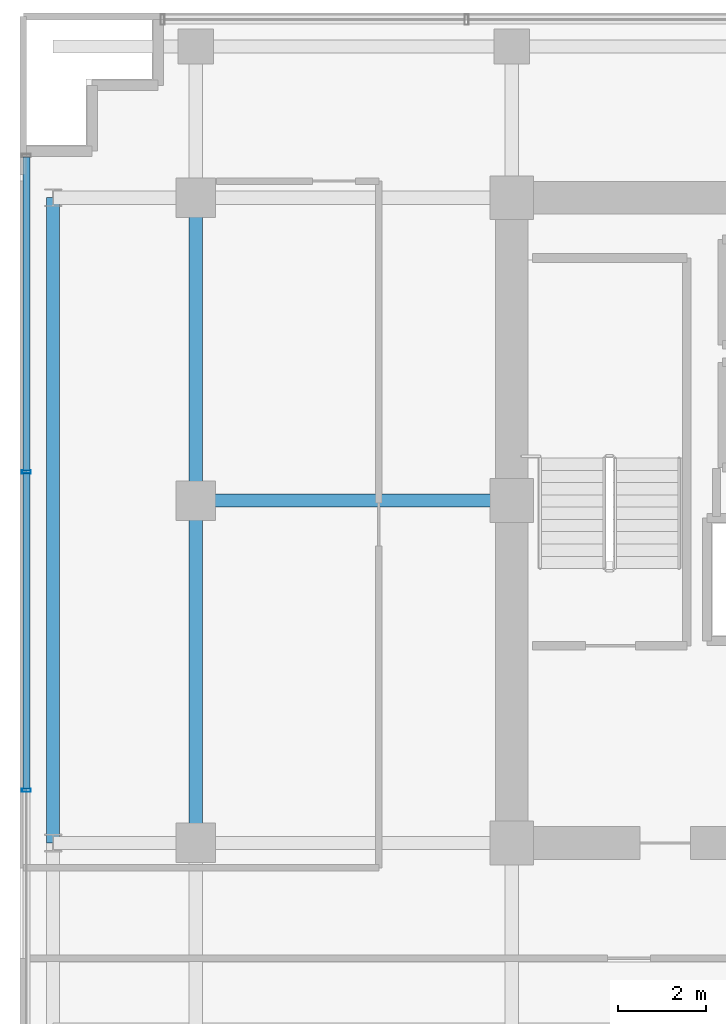
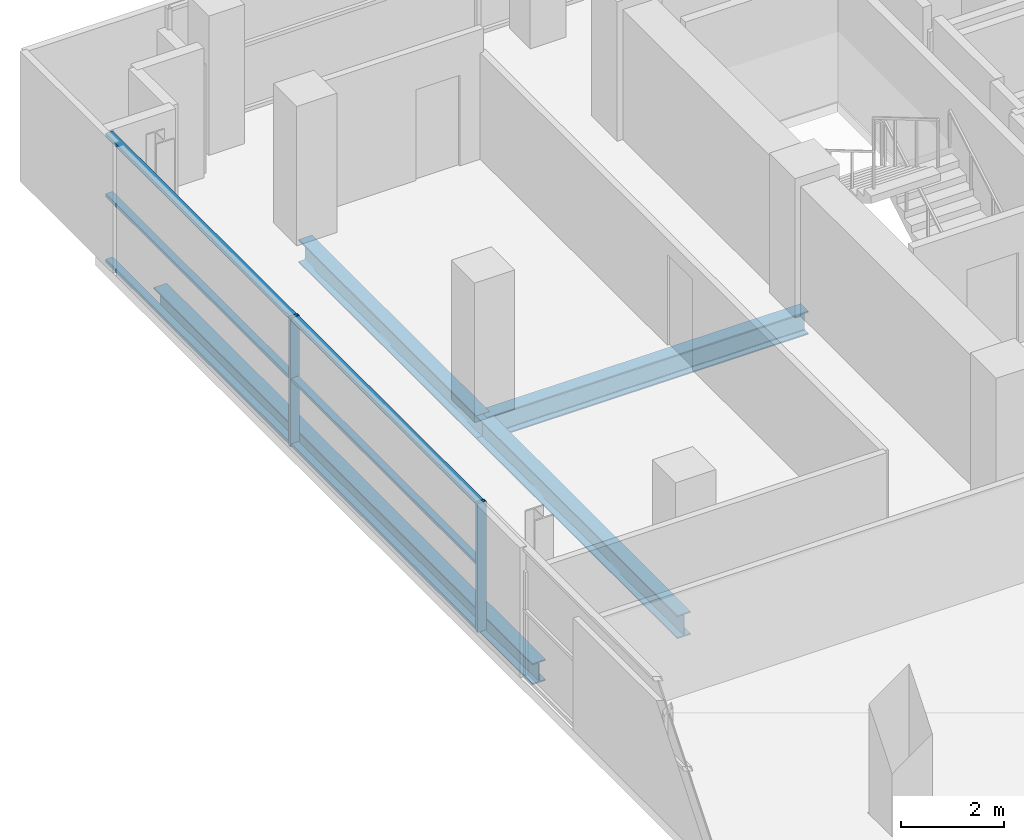
# One storey, part 9 of 24: 8 members, 4 beams, 1 element without a shape of its own.
"""IFC4 building model written with IfcOpenShell, lengths in metres."""

import ifcopenshell
import ifcopenshell.guid

model = None  # the IFC model being written
_history = None  # IfcOwnerHistory: only IFC2X3 demands one
_inside = {}  # id of a spatial element -> (the spatial element, [elements in it])
_under = {}  # id of a project, library or spatial element -> (it, [spatial elements below it])
_declared = {}  # id of a project -> (the project, [libraries it declares])
_typed = {}  # id of a type object -> (the type object, [elements of that type])
_made_of = {}  # id of a material, layer set ... -> (it, [elements and type objects made of it])


def new_model(schema):
    """Start an empty IFC model of exactly this schema.

    Asked for "IFC4X3", IfcOpenShell would pick the latest addendum, in which some entities
    have other attributes; the version numbers below select the first issue.
    IFC2X3 requires an IfcOwnerHistory on every rooted entity: one is made here for all.
    """
    global model, _history
    if schema == "IFC4X3":
        model = ifcopenshell.file(schema_version=(4, 3, 0, 0))
    else:
        model = ifcopenshell.file(schema=schema)
    _inside.clear()
    _under.clear()
    _declared.clear()
    _typed.clear()
    _made_of.clear()
    _history = None
    if model.schema == "IFC2X3":
        org = make("IfcOrganization", Name="unknown")
        user = make(
            "IfcPersonAndOrganization",
            ThePerson=make("IfcPerson", FamilyName="unknown"),
            TheOrganization=org,
        )
        app = make(
            "IfcApplication",
            ApplicationDeveloper=org,
            Version="unknown",
            ApplicationFullName="unknown",
            ApplicationIdentifier="unknown",
        )
        _history = make(
            "IfcOwnerHistory",
            OwningUser=user,
            OwningApplication=app,
            ChangeAction="ADDED",
            CreationDate=0,
        )
    return model


def make(cls, **values):
    """One entity of the class cls with the attributes given. An attribute that is None is left unset."""
    return model.create_entity(
        cls, **{name: value for name, value in values.items() if value is not None}
    )


def rooted(cls, **values):
    """An entity with a GlobalId (a new one), such as an element, a storey or a relation."""
    return make(cls, GlobalId=ifcopenshell.guid.new(), OwnerHistory=_history, **values)


def si_unit(unit_type, name, prefix=None):
    """IfcSIUnit, for example si_unit("LENGTHUNIT", "METRE", prefix="MILLI")."""
    return make("IfcSIUnit", UnitType=unit_type, Prefix=prefix, Name=name)


def assignment(units):
    """IfcUnitAssignment: the units of a project."""
    return None if units is None else make("IfcUnitAssignment", Units=units)


def point(xyz):
    """IfcCartesianPoint."""
    return None if xyz is None else make("IfcCartesianPoint", Coordinates=xyz)


def direction(xyz):
    """IfcDirection."""
    return None if xyz is None else make("IfcDirection", DirectionRatios=xyz)


def frame(location, z_axis=None, x_axis=None):
    """IfcAxis2Placement3D, a coordinate frame: its origin and axes. An axis left out is left unset."""
    return make(
        "IfcAxis2Placement3D",
        Location=point(location),
        Axis=direction(z_axis),
        RefDirection=direction(x_axis),
    )


def frame_2d(location, x_axis=None):
    """IfcAxis2Placement2D, a coordinate frame in the plane: its origin and x axis."""
    return make(
        "IfcAxis2Placement2D", Location=point(location), RefDirection=direction(x_axis)
    )


def origin():
    """The frame at (0, 0, 0) with its axes left unset."""
    return frame((0.0, 0.0, 0.0))


def origin_2d():
    """The frame at (0, 0) in the plane with its x axis left unset."""
    return frame_2d((0.0, 0.0))


def place(relative_to, where):
    """IfcLocalPlacement: puts the frame where relative to a parent placement (None: the world)."""
    return make(
        "IfcLocalPlacement", PlacementRelTo=relative_to, RelativePlacement=where
    )


def context(
    kind, dimensions, precision=None, world=None, true_north=None, identifier=None
):
    """IfcGeometricRepresentationContext, for example the 3D "Model" context."""
    return make(
        "IfcGeometricRepresentationContext",
        ContextIdentifier=identifier,
        ContextType=kind,
        CoordinateSpaceDimension=dimensions,
        Precision=precision,
        WorldCoordinateSystem=world,
        TrueNorth=true_north,
    )


def subcontext(parent, identifier, kind, view, scale=None):
    """IfcGeometricRepresentationSubContext, for example "Body" below "Model"."""
    return make(
        "IfcGeometricRepresentationSubContext",
        ContextIdentifier=identifier,
        ContextType=kind,
        ParentContext=parent,
        TargetScale=scale,
        TargetView=view,
    )


def project(units=None, contexts=None):
    """IfcProject with its units and contexts."""
    return rooted(
        "IfcProject",
        Name="project",
        RepresentationContexts=contexts,
        UnitsInContext=assignment(units),
    )


def spatial(cls, under=None, at=None, **own):
    """A site, building, storey or space (cls), placed at a placement, below another one or the project."""
    s = rooted(cls, ObjectPlacement=at, **own)
    if under is not None:
        _under.setdefault(under.id(), (under, []))[1].append(s)
    return s


def profile(cls, at=None, kind="AREA", **sizes):
    """A parametric profile (cls). Its sizes go by their IFC names, for example OverallWidth=200.0."""
    return make(cls, ProfileType=kind, Position=at, **sizes)


def hollow_rectangle(**sizes):
    """IfcRectangleHollowProfileDef."""
    return profile("IfcRectangleHollowProfileDef", **sizes)


def i_section(**sizes):
    """IfcIShapeProfileDef."""
    return profile("IfcIShapeProfileDef", **sizes)


def extrude(swept, where, along, depth):
    """IfcExtrudedAreaSolid: the profile swept, set in the frame where, extruded along a direction by depth."""
    return make(
        "IfcExtrudedAreaSolid",
        SweptArea=swept,
        Position=where,
        ExtrudedDirection=direction(along),
        Depth=depth,
    )


def shape(context_of_items, identifier, shape_type, items):
    """IfcShapeRepresentation: the items that make up one representation, for example the "Body"."""
    return make(
        "IfcShapeRepresentation",
        ContextOfItems=context_of_items,
        RepresentationIdentifier=identifier,
        RepresentationType=shape_type,
        Items=items,
    )


def source(mapping_origin, context_of_items, identifier, shape_type, items):
    """IfcRepresentationMap: a shape defined once, which mapped items show again and again."""
    return make(
        "IfcRepresentationMap",
        MappingOrigin=mapping_origin,
        MappedRepresentation=shape(context_of_items, identifier, shape_type, items),
    )


def transform(
    local_origin,
    x_axis=None,
    y_axis=None,
    z_axis=None,
    scale=None,
    scale2=None,
    scale3=None,
    uniform=True,
):
    """IfcCartesianTransformationOperator3D, or its non-uniform kind. x_axis, y_axis, z_axis: its Axis1, 2, 3."""
    if uniform:
        return make(
            "IfcCartesianTransformationOperator3D",
            Axis1=direction(x_axis),
            Axis2=direction(y_axis),
            LocalOrigin=point(local_origin),
            Scale=scale,
            Axis3=direction(z_axis),
        )
    return make(
        "IfcCartesianTransformationOperator3DnonUniform",
        Axis1=direction(x_axis),
        Axis2=direction(y_axis),
        LocalOrigin=point(local_origin),
        Scale=scale,
        Axis3=direction(z_axis),
        Scale2=scale2,
        Scale3=scale3,
    )


def mapped(mapping_source, mapping_target):
    """IfcMappedItem: shows the shape of a source again, moved by a transform."""
    return make(
        "IfcMappedItem", MappingSource=mapping_source, MappingTarget=mapping_target
    )


def material(Name=None, Category=None):
    """IfcMaterial."""
    return make("IfcMaterial", Name=Name, Category=Category)


def layer(
    of_material, thickness, ventilated=None, Name=None, Category=None, Priority=None
):
    """IfcMaterialLayer: one layer of a wall or slab, of a material (None: an air gap)."""
    return make(
        "IfcMaterialLayer",
        Material=of_material,
        LayerThickness=thickness,
        IsVentilated=ventilated,
        Name=Name,
        Category=Category,
        Priority=Priority,
    )


def layer_set(layers, Name=None):
    """IfcMaterialLayerSet."""
    return make("IfcMaterialLayerSet", MaterialLayers=layers, LayerSetName=Name)


def material_profile(
    of_material, cross_section, Name=None, Category=None, Priority=None
):
    """IfcMaterialProfile: a cross section and its material."""
    return make(
        "IfcMaterialProfile",
        Name=Name,
        Material=of_material,
        Profile=cross_section,
        Priority=Priority,
        Category=Category,
    )


def profile_set(profiles, Name=None, composite=None):
    """IfcMaterialProfileSet."""
    return make(
        "IfcMaterialProfileSet",
        Name=Name,
        MaterialProfiles=profiles,
        CompositeProfile=composite,
    )


def made_of(thing, what):
    """Note that an element or type object is made of a material, layer set ...; save() writes the relation."""
    if what is not None:
        _made_of.setdefault(what.id(), (what, []))[1].append(thing)
    return thing


def type_object(cls, material=None, **own):
    """A type object (cls), such as IfcWallType, which elements share."""
    return made_of(rooted(cls, **own), material)


def element(
    cls,
    number,
    at=None,
    inside=None,
    cuts=None,
    type_object=None,
    material=None,
    context=None,
    identifier="Body",
    shape_type=None,
    held_by="IfcProductDefinitionShape",
    body=None,
    shapes=None,
    **own,
):
    """One element of the class cls, such as IfcWall. Its Tag is "e" and its number.

    at: its placement. inside: the storey or other place that contains it. cuts: it is an
    opening in that element (IfcRelVoidsElement). A single representation is given by context,
    identifier, shape_type and body (its items); several are given by shapes. held_by: the class
    of the entity that holds the representations. save() writes the other relations.
    """
    e = rooted(cls, Tag="e%d" % number, ObjectPlacement=at, **own)
    if body is not None:
        shapes = [shape(context, identifier, shape_type, body)]
    if shapes is not None:
        e.Representation = make(held_by, Representations=shapes)
    if inside is not None:
        _inside.setdefault(inside.id(), (inside, []))[1].append(e)
    if cuts is not None:
        rooted(
            "IfcRelVoidsElement", RelatingBuildingElement=cuts, RelatedOpeningElement=e
        )
    if type_object is not None:
        _typed.setdefault(type_object.id(), (type_object, []))[1].append(e)
    return made_of(e, material)


def aggregate(whole, parts):
    """IfcRelAggregates: a whole, such as a stair, and the parts it consists of."""
    return rooted("IfcRelAggregates", RelatingObject=whole, RelatedObjects=parts)


def save(model, path):
    """Write the relations noted so far, then the file.

    IfcRelAggregates (storeys below a building ...), IfcRelContainedInSpatialStructure (elements
    in a storey), IfcRelDefinesByType, IfcRelAssociatesMaterial and IfcRelDeclares: one each for
    every whole, place, type object, material and project.
    """
    for whole, parts in _under.values():
        aggregate(whole, parts)
    for where, things in _inside.values():
        rooted(
            "IfcRelContainedInSpatialStructure",
            RelatedElements=things,
            RelatingStructure=where,
        )
    for kind, things in _typed.values():
        rooted("IfcRelDefinesByType", RelatedObjects=things, RelatingType=kind)
    for what, things in _made_of.values():
        rooted("IfcRelAssociatesMaterial", RelatedObjects=things, RelatingMaterial=what)
    for by, libraries in _declared.values():
        rooted("IfcRelDeclares", RelatingContext=by, RelatedDefinitions=libraries)
    model.write(path)


model = new_model("IFC4")

# Units and contexts
model_context = context("Model", 3, precision=1e-05, world=origin(), true_north=direction((0.0, 1.0)))
body_context = subcontext(model_context, "Body", "Model", "MODEL_VIEW")
ifc_project = project(units=[si_unit("LENGTHUNIT", "METRE"), si_unit("AREAUNIT", "SQUARE_METRE"), si_unit("VOLUMEUNIT", "CUBIC_METRE"), si_unit("PLANEANGLEUNIT", "RADIAN"), si_unit("MASSUNIT", "GRAM", prefix="KILO")], contexts=[model_context])

# Site, building, storey
site_placement = place(None, origin())
site = spatial("IfcSite", under=ifc_project, at=site_placement, CompositionType="ELEMENT")
building_placement = place(site_placement, origin())
building = spatial("IfcBuilding", under=site, at=building_placement, Name="Zarnakvel Exchange Tower", CompositionType="ELEMENT")
storey_placement = place(building_placement, frame((0.0, 0.0, 133.0)))
storey = spatial("IfcBuildingStorey", under=building, at=storey_placement, Name="L37", CompositionType="ELEMENT", Elevation=133.0)

# Beams
ifc_material_1 = material(Name="Steel S355", Category="steel")
ifc_material_profile_1 = material_profile(ifc_material_1, i_section(OverallWidth=0.300048828125, OverallDepth=0.550048828125, WebThickness=0.014892578125, FlangeThickness=0.029052734375, FilletRadius=0.027099609375, at=origin_2d()))
ifc_profile_set_1 = profile_set([ifc_material_profile_1], Name="Steel S355")
beam_type_1 = type_object("IfcBeamType", Name="G-05", PredefinedType="BEAM", material=ifc_profile_set_1)
beam_1_placement = place(storey_placement, frame((-21.60009765625, 6.60009765625, -0.5), z_axis=(1.0, 0.0, 0.0), x_axis=(0.0, 1.0, 0.0)))
element("IfcBeam", 1, at=beam_1_placement, inside=storey, type_object=beam_type_1, Name="L37 Tower E-W Frame Beam", PredefinedType="BEAM", context=body_context, shape_type="SweptSolid", body=[
    extrude(i_section(OverallWidth=0.300048828125, OverallDepth=0.550048828125, WebThickness=0.014892578125, FlangeThickness=0.029052734375, FilletRadius=0.027099609375, at=origin_2d()), origin(), (0.0, 0.0, 1.0), 7.2001953125),
])
beam_2_placement = place(storey_placement, frame((-21.60009765625, -1.199951171875, -0.5), z_axis=(0.0, 1.0, 0.0), x_axis=(-1.0, 0.0, 0.0)))
element("IfcBeam", 2, at=beam_2_placement, inside=storey, type_object=beam_type_1, Name="L37 Tower N-S Frame Beam", PredefinedType="BEAM", context=body_context, shape_type="SweptSolid", body=[
    extrude(i_section(OverallWidth=0.300048828125, OverallDepth=0.550048828125, WebThickness=0.014892578125, FlangeThickness=0.029052734375, FilletRadius=0.027099609375, at=origin_2d()), origin(), (0.0, 0.0, 1.0), 7.800048828125),
])
beam_3_placement = place(storey_placement, frame((-21.60009765625, 6.60009765625, -0.5), z_axis=(0.0, 1.0, 0.0), x_axis=(-1.0, 0.0, 0.0)))
element("IfcBeam", 3, at=beam_3_placement, inside=storey, type_object=beam_type_1, Name="L37 Tower N-S Frame Beam", PredefinedType="BEAM", context=body_context, shape_type="SweptSolid", body=[
    extrude(i_section(OverallWidth=0.300048828125, OverallDepth=0.550048828125, WebThickness=0.014892578125, FlangeThickness=0.029052734375, FilletRadius=0.027099609375, at=origin_2d()), origin(), (0.0, 0.0, 1.0), 6.89990234375),
])
ifc_material_profile_2 = material_profile(ifc_material_1, i_section(OverallWidth=0.300048828125, OverallDepth=0.5, WebThickness=0.014404296875, FlangeThickness=0.028076171875, FilletRadius=0.027099609375, at=origin_2d()))
ifc_profile_set_2 = profile_set([ifc_material_profile_2], Name="Steel S355")
beam_type_2 = type_object("IfcBeamType", Name="SP-02", PredefinedType="SPANDREL", material=ifc_profile_set_2)
beam_4_placement = place(storey_placement, frame((-24.85009765625, -1.199951171875, -0.47509765625), z_axis=(0.0, 1.0, 0.0), x_axis=(-1.0, 0.0, 0.0)))
element("IfcBeam", 4, at=beam_4_placement, inside=storey, type_object=beam_type_2, Name="L37 Tower N-S Frame Beam", PredefinedType="SPANDREL", context=body_context, shape_type="SweptSolid", body=[
    extrude(i_section(OverallWidth=0.300048828125, OverallDepth=0.5, WebThickness=0.014404296875, FlangeThickness=0.028076171875, FilletRadius=0.027099609375, at=origin_2d()), origin(), (0.0, 0.0, 1.0), 14.699951171875),
])

# Curtain wall, members
ifc_material_2 = material(Name="Architectural Bronze Anodised Aluminium", Category="aluminium")
ifc_layer = layer(ifc_material_2, 0.199951171875)
ifc_layer_set = layer_set([ifc_layer], Name="Architectural Bronze Anodised Aluminium")
curtain_wall_type = type_object("IfcCurtainWallType", Name="CW-04", PredefinedType="NOTDEFINED", material=ifc_layer_set)
curtain_wall_placement = place(storey_placement, origin())
curtain_wall = element("IfcCurtainWall", 5, at=curtain_wall_placement, inside=storey, type_object=curtain_wall_type, Name="L37 Curtain Wall CW-L37-W1 (CW-04)", PredefinedType="NOTDEFINED")
ifc_material_profile_3 = material_profile(ifc_material_2, hollow_rectangle(XDim=0.199951171875, YDim=0.074951171875, WallThickness=0.0048828125, at=origin_2d()))
ifc_profile_set_3 = profile_set([ifc_material_profile_3], Name="Architectural Bronze Anodised Aluminium")
member_type_1 = type_object("IfcMemberType", Name="CWM-04", PredefinedType="MULLION", material=ifc_profile_set_3)
shared_shape_1 = source(origin(), body_context, "Body", "SweptSolid", [
    extrude(hollow_rectangle(XDim=0.199951171875, YDim=0.074951171875, WallThickness=0.0048828125, at=origin_2d()), origin(), (0.0, 0.0, 1.0), 3.054931640625),
])
member_1_placement = place(storey_placement, frame((-25.4599609375, 0.0, 0.0), z_axis=(0.0, 0.0, 1.0), x_axis=(-1.0, 0.0, 0.0)))
member_1 = element("IfcMember", 6, at=member_1_placement, type_object=member_type_1, Name="CW-04 mullion 3", PredefinedType="MULLION", context=body_context, shape_type="MappedRepresentation", body=[
    mapped(shared_shape_1, transform((0.0, 0.0, 0.0), x_axis=(1.0, 0.0, 0.0), y_axis=(0.0, 1.0, 0.0), z_axis=(0.0, 0.0, 1.0), scale=1.0)),
])
member_2_placement = place(storey_placement, frame((-25.4599609375, 7.25, 0.0), z_axis=(0.0, 0.0, 1.0), x_axis=(-1.0, 0.0, 0.0)))
member_2 = element("IfcMember", 7, at=member_2_placement, type_object=member_type_1, Name="CW-04 mullion 4", PredefinedType="MULLION", context=body_context, shape_type="MappedRepresentation", body=[
    mapped(shared_shape_1, transform((0.0, 0.0, 0.0), x_axis=(1.0, 0.0, 0.0), y_axis=(0.0, 1.0, 0.0), z_axis=(0.0, 0.0, 1.0), scale=1.0)),
])
ifc_material_profile_4 = material_profile(ifc_material_2, hollow_rectangle(XDim=0.159912109375, YDim=0.074951171875, WallThickness=0.00390625, at=origin_2d()))
ifc_profile_set_4 = profile_set([ifc_material_profile_4], Name="Architectural Bronze Anodised Aluminium")
member_type_2 = type_object("IfcMemberType", Name="CWT-04", PredefinedType="USERDEFINED", material=ifc_profile_set_4)
shared_shape_2 = source(origin(), body_context, "Body", "SweptSolid", [
    extrude(hollow_rectangle(XDim=0.159912109375, YDim=0.074951171875, WallThickness=0.00390625, at=origin_2d()), origin(), (0.0, 0.0, 1.0), 7.137451171875),
])
member_3_placement = place(storey_placement, frame((-25.4599609375, 7.28759765625, 0.03759765625), z_axis=(0.0, 1.0, 0.0), x_axis=(-1.0, 0.0, 0.0)))
member_3 = element("IfcMember", 8, at=member_3_placement, type_object=member_type_2, Name="CW-04 transom 4.1", ObjectType="TRANSOM", PredefinedType="USERDEFINED", context=body_context, shape_type="MappedRepresentation", body=[
    mapped(shared_shape_2, transform((0.0, 0.0, 0.0), x_axis=(1.0, 0.0, 0.0), y_axis=(0.0, 1.0, 0.0), z_axis=(0.0, 0.0, 1.0), scale=1.0)),
])
member_4_placement = place(storey_placement, frame((-25.4599609375, 7.28759765625, 1.588623046875), z_axis=(0.0, 1.0, 0.0), x_axis=(-1.0, 0.0, 0.0)))
member_4 = element("IfcMember", 9, at=member_4_placement, type_object=member_type_2, Name="CW-04 transom 4.2", ObjectType="TRANSOM", PredefinedType="USERDEFINED", context=body_context, shape_type="MappedRepresentation", body=[
    mapped(shared_shape_2, transform((0.0, 0.0, 0.0), x_axis=(1.0, 0.0, 0.0), y_axis=(0.0, 1.0, 0.0), z_axis=(0.0, 0.0, 1.0), scale=1.0)),
])
member_5_placement = place(storey_placement, frame((-25.4599609375, 7.28759765625, 3.017578125), z_axis=(0.0, 1.0, 0.0), x_axis=(-1.0, 0.0, 0.0)))
member_5 = element("IfcMember", 10, at=member_5_placement, type_object=member_type_2, Name="CW-04 transom 4.3", ObjectType="TRANSOM", PredefinedType="USERDEFINED", context=body_context, shape_type="MappedRepresentation", body=[
    mapped(shared_shape_2, transform((0.0, 0.0, 0.0), x_axis=(1.0, 0.0, 0.0), y_axis=(0.0, 1.0, 0.0), z_axis=(0.0, 0.0, 1.0), scale=1.0)),
])
shared_shape_3 = source(origin(), body_context, "Body", "SweptSolid", [
    extrude(hollow_rectangle(XDim=0.159912109375, YDim=0.074951171875, WallThickness=0.00390625, at=origin_2d()), origin(), (0.0, 0.0, 1.0), 7.1748046875),
])
member_6_placement = place(storey_placement, frame((-25.4599609375, 0.03759765625, 0.03759765625), z_axis=(0.0, 1.0, 0.0), x_axis=(-1.0, 0.0, 0.0)))
member_6 = element("IfcMember", 11, at=member_6_placement, type_object=member_type_2, Name="CW-04 transom 3.1", ObjectType="TRANSOM", PredefinedType="USERDEFINED", context=body_context, shape_type="MappedRepresentation", body=[
    mapped(shared_shape_3, transform((0.0, 0.0, 0.0), x_axis=(1.0, 0.0, 0.0), y_axis=(0.0, 1.0, 0.0), z_axis=(0.0, 0.0, 1.0), scale=1.0)),
])
member_7_placement = place(storey_placement, frame((-25.4599609375, 0.03759765625, 1.588623046875), z_axis=(0.0, 1.0, 0.0), x_axis=(-1.0, 0.0, 0.0)))
member_7 = element("IfcMember", 12, at=member_7_placement, type_object=member_type_2, Name="CW-04 transom 3.2", ObjectType="TRANSOM", PredefinedType="USERDEFINED", context=body_context, shape_type="MappedRepresentation", body=[
    mapped(shared_shape_3, transform((0.0, 0.0, 0.0), x_axis=(1.0, 0.0, 0.0), y_axis=(0.0, 1.0, 0.0), z_axis=(0.0, 0.0, 1.0), scale=1.0)),
])
member_8_placement = place(storey_placement, frame((-25.4599609375, 0.03759765625, 3.017578125), z_axis=(0.0, 1.0, 0.0), x_axis=(-1.0, 0.0, 0.0)))
member_8 = element("IfcMember", 13, at=member_8_placement, type_object=member_type_2, Name="CW-04 transom 3.3", ObjectType="TRANSOM", PredefinedType="USERDEFINED", context=body_context, shape_type="MappedRepresentation", body=[
    mapped(shared_shape_3, transform((0.0, 0.0, 0.0), x_axis=(1.0, 0.0, 0.0), y_axis=(0.0, 1.0, 0.0), z_axis=(0.0, 0.0, 1.0), scale=1.0)),
])
aggregate(curtain_wall, [member_1, member_2, member_6, member_7, member_8, member_3, member_4, member_5])

save(model, "model.ifc")
